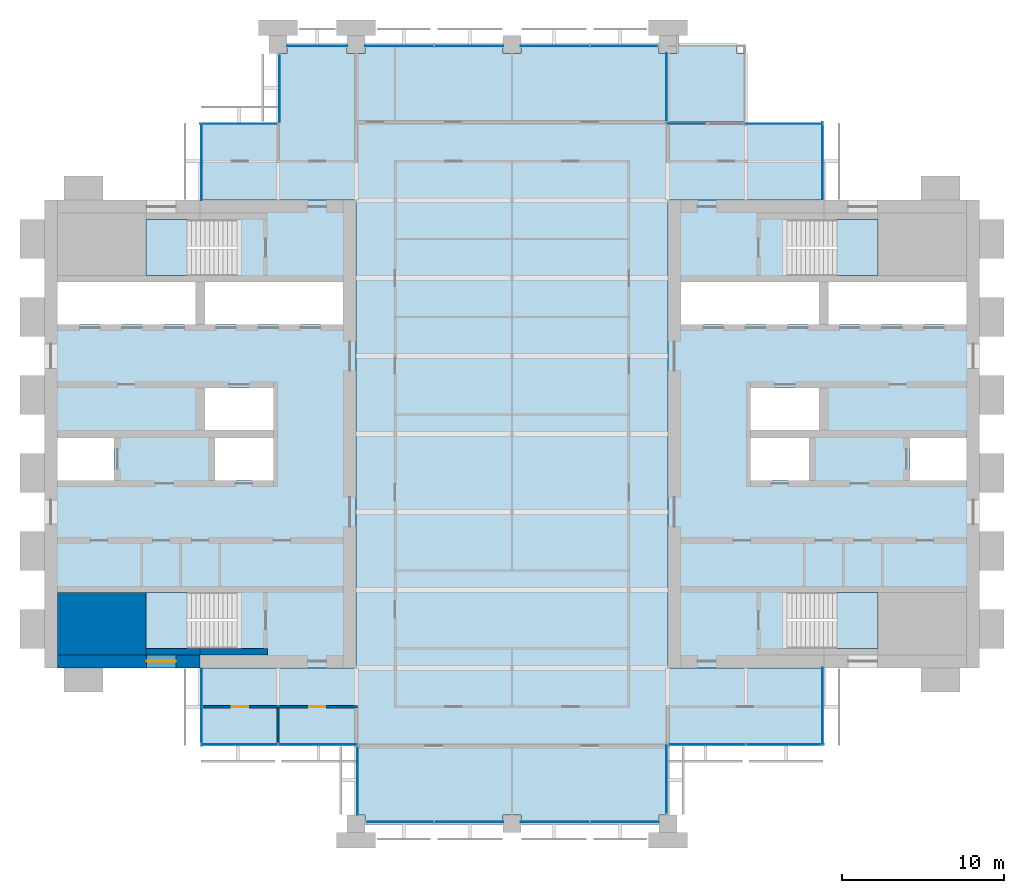
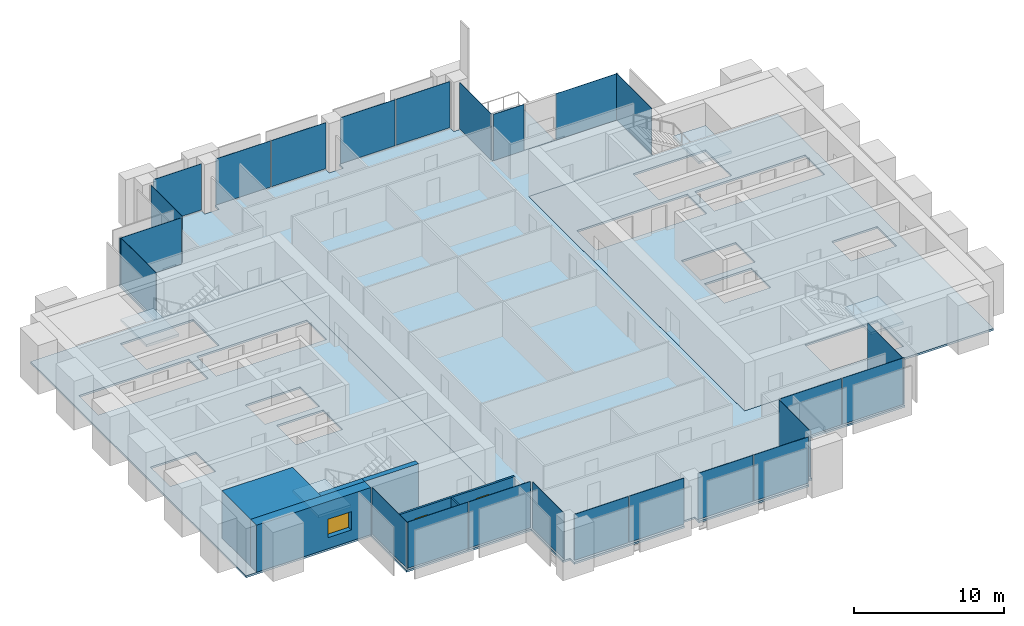
# One storey, part 7 of 13: 24 plates, 8 slabs, 6 walls, 2 doors, 1 window, 3 openings, 19 elements without a shape of their own.
"""IFC4 building model written with IfcOpenShell, lengths in metres."""

from ifc_helpers import new_model, si_unit, direction, frame, frame_2d, origin, origin_2d, place, context, subcontext, project, spatial, polyline, rectangle, outline, extrude, material, layer, layer_set, type_object, element, fill, aggregate, save


model = new_model("IFC4")

# Units and contexts
model_context = context("Model", 3, precision=1e-05, world=origin(), true_north=direction((0.0, 1.0)))
body_context = subcontext(model_context, "Body", "Model", "MODEL_VIEW")
ifc_project = project(units=[si_unit("LENGTHUNIT", "METRE"), si_unit("AREAUNIT", "SQUARE_METRE"), si_unit("VOLUMEUNIT", "CUBIC_METRE"), si_unit("PLANEANGLEUNIT", "RADIAN"), si_unit("MASSUNIT", "GRAM", prefix="KILO")], contexts=[model_context])

# Site, building, storey
site_placement = place(None, origin())
site = spatial("IfcSite", under=ifc_project, at=site_placement, CompositionType="ELEMENT")
building_placement = place(site_placement, origin())
building = spatial("IfcBuilding", under=site, at=building_placement, Name="Baori Bourse Tower", CompositionType="ELEMENT")
storey_placement = place(building_placement, frame((0.0, 0.0, 205.199951171875)))
storey = spatial("IfcBuildingStorey", under=building, at=storey_placement, Name="L44", CompositionType="ELEMENT", Elevation=205.199951171875)

# Curtain wall, plate
ifc_material_1 = material(Name="Pale anodised aluminium", Category="aluminium")
curtain_wall_type_1 = type_object("IfcCurtainWallType", Name="CW2 Curtain wall", PredefinedType="NOTDEFINED", material=ifc_material_1)
curtain_wall_1_placement = place(storey_placement, origin())
curtain_wall_1 = element("IfcCurtainWall", 1, at=curtain_wall_1_placement, inside=storey, type_object=curtain_wall_type_1, Name="Curtain wall CW2 L44 1", PredefinedType="NOTDEFINED")
ifc_material_2 = material(Name="Clear glass", Category="glass")
ifc_layer_1 = layer(ifc_material_2, 0.030029296875)
ifc_layer_set_1 = layer_set([ifc_layer_1], Name="CW2 Curtain wall panel")
plate_type_1 = type_object("IfcPlateType", Name="CW2 Curtain wall panel", PredefinedType="CURTAIN_PANEL", material=ifc_layer_set_1)
plate_1_placement = place(storey_placement, frame((47.909912109375, 40.827392578125, 0.070068359375), z_axis=(0.0, 0.0, 1.0), x_axis=(0.0, 1.0, 0.0)))
plate_1 = element("IfcPlate", 2, at=plate_1_placement, type_object=plate_type_1, Name="Curtain wall CW2 panel", PredefinedType="CURTAIN_PANEL", context=body_context, shape_type="SweptSolid", body=[
    extrude(rectangle(XDim=4.7451171875, YDim=0.030029296875, at=origin_2d()), origin(), (0.0, 0.0, 1.0), 3.77001953125),
])
aggregate(curtain_wall_1, [plate_1])

curtain_wall_2_placement = place(storey_placement, origin())
curtain_wall_2 = element("IfcCurtainWall", 3, at=curtain_wall_2_placement, inside=storey, type_object=curtain_wall_type_1, Name="Curtain wall CW2 L44 2", PredefinedType="NOTDEFINED")
plate_2_placement = place(storey_placement, frame((45.572509765625, 43.110107421875, 0.070068359375), z_axis=(0.0, 0.0, 1.0), x_axis=(-1.0, 0.0, 0.0)))
plate_2 = element("IfcPlate", 4, at=plate_2_placement, type_object=plate_type_1, Name="Curtain wall CW2 panel", PredefinedType="CURTAIN_PANEL", context=body_context, shape_type="SweptSolid", body=[
    extrude(rectangle(XDim=4.7451171875, YDim=0.030029296875, at=origin_2d()), origin(), (0.0, 0.0, 1.0), 3.77001953125),
])
aggregate(curtain_wall_2, [plate_2])

curtain_wall_3_placement = place(storey_placement, origin())
curtain_wall_3 = element("IfcCurtainWall", 5, at=curtain_wall_3_placement, inside=storey, type_object=curtain_wall_type_1, Name="Curtain wall CW2 L44 3", PredefinedType="NOTDEFINED")
plate_3_placement = place(storey_placement, frame((39.572509765625, 43.110107421875, 0.070068359375), z_axis=(0.0, 0.0, 1.0), x_axis=(-1.0, 0.0, 0.0)))
plate_3 = element("IfcPlate", 6, at=plate_3_placement, type_object=plate_type_1, Name="Curtain wall CW2 panel", PredefinedType="CURTAIN_PANEL", context=body_context, shape_type="SweptSolid", body=[
    extrude(rectangle(XDim=2.344970703125, YDim=0.030029296875, at=origin_2d()), origin(), (0.0, 0.0, 1.0), 3.77001953125),
])
aggregate(curtain_wall_3, [plate_3])

curtain_wall_4_placement = place(storey_placement, origin())
curtain_wall_4 = element("IfcCurtainWall", 7, at=curtain_wall_4_placement, inside=storey, type_object=curtain_wall_type_1, Name="Curtain wall CW2 L44 4", PredefinedType="NOTDEFINED")
plate_4_placement = place(storey_placement, frame((38.31005859375, 45.3525390625, 0.070068359375), z_axis=(0.0, 0.0, 1.0), x_axis=(0.0, 1.0, 0.0)))
plate_4 = element("IfcPlate", 8, at=plate_4_placement, type_object=plate_type_1, Name="Curtain wall CW2 panel", PredefinedType="CURTAIN_PANEL", context=body_context, shape_type="SweptSolid", body=[
    extrude(rectangle(XDim=4.195068359375, YDim=0.030029296875, at=origin_2d()), origin(), (0.0, 0.0, 1.0), 3.77001953125),
])
aggregate(curtain_wall_4, [plate_4])

curtain_wall_5_placement = place(storey_placement, origin())
curtain_wall_5 = element("IfcCurtainWall", 9, at=curtain_wall_5_placement, inside=storey, type_object=curtain_wall_type_1, Name="Curtain wall CW2 L44 6", PredefinedType="NOTDEFINED")
plate_5_placement = place(storey_placement, frame((14.489990234375, 45.297607421875, 0.070068359375), z_axis=(0.0, 0.0, 1.0), x_axis=(0.0, -1.0, 0.0)))
plate_5 = element("IfcPlate", 10, at=plate_5_placement, type_object=plate_type_1, Name="Curtain wall CW2 panel", PredefinedType="CURTAIN_PANEL", context=body_context, shape_type="SweptSolid", body=[
    extrude(rectangle(XDim=4.195068359375, YDim=0.030029296875, at=origin_2d()), origin(), (0.0, 0.0, 1.0), 3.77001953125),
])
aggregate(curtain_wall_5, [plate_5])

curtain_wall_6_placement = place(storey_placement, origin())
curtain_wall_6 = element("IfcCurtainWall", 11, at=curtain_wall_6_placement, inside=storey, type_object=curtain_wall_type_1, Name="Curtain wall CW2 L44 7", PredefinedType="NOTDEFINED")
plate_6_placement = place(storey_placement, frame((11.972412109375, 43.110107421875, 0.070068359375), z_axis=(0.0, 0.0, 1.0), x_axis=(-1.0, 0.0, 0.0)))
plate_6 = element("IfcPlate", 12, at=plate_6_placement, type_object=plate_type_1, Name="Curtain wall CW2 panel", PredefinedType="CURTAIN_PANEL", context=body_context, shape_type="SweptSolid", body=[
    extrude(rectangle(XDim=4.7451171875, YDim=0.030029296875, at=origin_2d()), origin(), (0.0, 0.0, 1.0), 3.77001953125),
])
aggregate(curtain_wall_6, [plate_6])

curtain_wall_7_placement = place(storey_placement, origin())
curtain_wall_7 = element("IfcCurtainWall", 13, at=curtain_wall_7_placement, inside=storey, type_object=curtain_wall_type_1, Name="Curtain wall CW2 L44 8", PredefinedType="NOTDEFINED")
plate_7_placement = place(storey_placement, frame((9.68994140625, 40.7724609375, 0.070068359375), z_axis=(0.0, 0.0, 1.0), x_axis=(0.0, -1.0, 0.0)))
plate_7 = element("IfcPlate", 14, at=plate_7_placement, type_object=plate_type_1, Name="Curtain wall CW2 panel", PredefinedType="CURTAIN_PANEL", context=body_context, shape_type="SweptSolid", body=[
    extrude(rectangle(XDim=4.7451171875, YDim=0.030029296875, at=origin_2d()), origin(), (0.0, 0.0, 1.0), 3.77001953125),
])
aggregate(curtain_wall_7, [plate_7])

curtain_wall_8_placement = place(storey_placement, origin())
curtain_wall_8 = element("IfcCurtainWall", 15, at=curtain_wall_8_placement, inside=storey, type_object=curtain_wall_type_1, Name="Curtain wall CW2 L44 9", PredefinedType="NOTDEFINED")
plate_8_placement = place(storey_placement, frame((9.68994140625, 7.172607421875, 0.070068359375), z_axis=(0.0, 0.0, 1.0), x_axis=(0.0, -1.0, 0.0)))
plate_8 = element("IfcPlate", 16, at=plate_8_placement, type_object=plate_type_1, Name="Curtain wall CW2 panel", PredefinedType="CURTAIN_PANEL", context=body_context, shape_type="SweptSolid", body=[
    extrude(rectangle(XDim=4.7451171875, YDim=0.030029296875, at=origin_2d()), origin(), (0.0, 0.0, 1.0), 3.77001953125),
])
aggregate(curtain_wall_8, [plate_8])

# Curtain wall, plates
curtain_wall_9_placement = place(storey_placement, origin())
curtain_wall_9 = element("IfcCurtainWall", 17, at=curtain_wall_9_placement, inside=storey, type_object=curtain_wall_type_1, Name="Curtain wall CW2 L44 10", PredefinedType="NOTDEFINED")
plate_9_placement = place(storey_placement, frame((12.013671875, 4.889892578125, 0.070068359375), z_axis=(0.0, 0.0, 1.0), x_axis=(1.0, 0.0, 0.0)))
plate_9 = element("IfcPlate", 18, at=plate_9_placement, type_object=plate_type_1, Name="Curtain wall CW2 panel", PredefinedType="CURTAIN_PANEL", context=body_context, shape_type="SweptSolid", body=[
    extrude(rectangle(XDim=4.717529296875, YDim=0.030029296875, at=origin_2d()), origin(), (0.0, 0.0, 1.0), 3.77001953125),
])
plate_10_placement = place(storey_placement, frame((16.813720703125, 4.889892578125, 0.070068359375), z_axis=(0.0, 0.0, 1.0), x_axis=(1.0, 0.0, 0.0)))
plate_10 = element("IfcPlate", 19, at=plate_10_placement, type_object=plate_type_1, Name="Curtain wall CW2 panel", PredefinedType="CURTAIN_PANEL", context=body_context, shape_type="SweptSolid", body=[
    extrude(rectangle(XDim=4.7724609375, YDim=0.030029296875, at=origin_2d()), origin(), (0.0, 0.0, 1.0), 3.77001953125),
])
aggregate(curtain_wall_9, [plate_9, plate_10])

# Curtain wall, plate
curtain_wall_10_placement = place(storey_placement, origin())
curtain_wall_10 = element("IfcCurtainWall", 20, at=curtain_wall_10_placement, inside=storey, type_object=curtain_wall_type_1, Name="Curtain wall CW2 L44 11", PredefinedType="NOTDEFINED")
plate_11_placement = place(storey_placement, frame((19.2900390625, 2.6474609375, 0.070068359375), z_axis=(0.0, 0.0, 1.0), x_axis=(0.0, -1.0, 0.0)))
plate_11 = element("IfcPlate", 21, at=plate_11_placement, type_object=plate_type_1, Name="Curtain wall CW2 panel", PredefinedType="CURTAIN_PANEL", context=body_context, shape_type="SweptSolid", body=[
    extrude(rectangle(XDim=4.195068359375, YDim=0.030029296875, at=origin_2d()), origin(), (0.0, 0.0, 1.0), 3.77001953125),
])
aggregate(curtain_wall_10, [plate_11])

curtain_wall_11_placement = place(storey_placement, origin())
curtain_wall_11 = element("IfcCurtainWall", 22, at=curtain_wall_11_placement, inside=storey, type_object=curtain_wall_type_1, Name="Curtain wall CW2 L44 13", PredefinedType="NOTDEFINED")
plate_12_placement = place(storey_placement, frame((38.31005859375, 2.702392578125, 0.070068359375), z_axis=(0.0, 0.0, 1.0), x_axis=(0.0, 1.0, 0.0)))
plate_12 = element("IfcPlate", 23, at=plate_12_placement, type_object=plate_type_1, Name="Curtain wall CW2 panel", PredefinedType="CURTAIN_PANEL", context=body_context, shape_type="SweptSolid", body=[
    extrude(rectangle(XDim=4.195068359375, YDim=0.030029296875, at=origin_2d()), origin(), (0.0, 0.0, 1.0), 3.77001953125),
])
aggregate(curtain_wall_11, [plate_12])

# Curtain wall, plates
curtain_wall_12_placement = place(storey_placement, origin())
curtain_wall_12 = element("IfcCurtainWall", 24, at=curtain_wall_12_placement, inside=storey, type_object=curtain_wall_type_1, Name="Curtain wall CW2 L44 14", PredefinedType="NOTDEFINED")
plate_13_placement = place(storey_placement, frame((40.813720703125, 4.889892578125, 0.070068359375), z_axis=(0.0, 0.0, 1.0), x_axis=(1.0, 0.0, 0.0)))
plate_13 = element("IfcPlate", 25, at=plate_13_placement, type_object=plate_type_1, Name="Curtain wall CW2 panel", PredefinedType="CURTAIN_PANEL", context=body_context, shape_type="SweptSolid", body=[
    extrude(rectangle(XDim=4.717529296875, YDim=0.030029296875, at=origin_2d()), origin(), (0.0, 0.0, 1.0), 3.77001953125),
])
plate_14_placement = place(storey_placement, frame((45.61376953125, 4.889892578125, 0.070068359375), z_axis=(0.0, 0.0, 1.0), x_axis=(1.0, 0.0, 0.0)))
plate_14 = element("IfcPlate", 26, at=plate_14_placement, type_object=plate_type_1, Name="Curtain wall CW2 panel", PredefinedType="CURTAIN_PANEL", context=body_context, shape_type="SweptSolid", body=[
    extrude(rectangle(XDim=4.7724609375, YDim=0.030029296875, at=origin_2d()), origin(), (0.0, 0.0, 1.0), 3.77001953125),
])
aggregate(curtain_wall_12, [plate_13, plate_14])

# Curtain wall, plate
curtain_wall_13_placement = place(storey_placement, origin())
curtain_wall_13 = element("IfcCurtainWall", 27, at=curtain_wall_13_placement, inside=storey, type_object=curtain_wall_type_1, Name="Curtain wall CW2 L44 15", PredefinedType="NOTDEFINED")
plate_15_placement = place(storey_placement, frame((47.909912109375, 7.2275390625, 0.070068359375), z_axis=(0.0, 0.0, 1.0), x_axis=(0.0, 1.0, 0.0)))
plate_15 = element("IfcPlate", 28, at=plate_15_placement, type_object=plate_type_1, Name="Curtain wall CW2 panel", PredefinedType="CURTAIN_PANEL", context=body_context, shape_type="SweptSolid", body=[
    extrude(rectangle(XDim=4.7451171875, YDim=0.030029296875, at=origin_2d()), origin(), (0.0, 0.0, 1.0), 3.77001953125),
])
aggregate(curtain_wall_13, [plate_15])

# Curtain wall, plates
ifc_material_3 = material(Name="Pale anodised aluminium", Category="aluminium")
curtain_wall_type_2 = type_object("IfcCurtainWallType", Name="CW5 Curtain wall", PredefinedType="NOTDEFINED", material=ifc_material_3)
curtain_wall_14_placement = place(storey_placement, origin())
curtain_wall_14 = element("IfcCurtainWall", 29, at=curtain_wall_14_placement, inside=storey, type_object=curtain_wall_type_2, Name="Curtain wall CW5 L44 5", PredefinedType="NOTDEFINED")
ifc_material_4 = material(Name="Clear glass", Category="glass")
ifc_layer_2 = layer(ifc_material_4, 0.035888671875)
ifc_layer_set_2 = layer_set([ifc_layer_2], Name="CW5 Curtain wall panel")
plate_type_2 = type_object("IfcPlateType", Name="CW5 Curtain wall panel", PredefinedType="CURTAIN_PANEL", material=ifc_layer_set_2)
plate_16_placement = place(storey_placement, frame((35.708740234375, 47.889892578125, 0.085205078125), z_axis=(0.0, 0.0, 1.0), x_axis=(-1.0, 0.0, 0.0)))
plate_16 = element("IfcPlate", 30, at=plate_16_placement, type_object=plate_type_2, Name="Curtain wall CW5 panel", PredefinedType="CURTAIN_PANEL", context=body_context, shape_type="SweptSolid", body=[
    extrude(rectangle(XDim=4.152587890625, YDim=0.035888671875, at=origin_2d()), origin(), (0.0, 0.0, 1.0), 3.7548828125),
])
plate_17_placement = place(storey_placement, frame((31.458740234375, 47.889892578125, 0.085205078125), z_axis=(0.0, 0.0, 1.0), x_axis=(-1.0, 0.0, 0.0)))
plate_17 = element("IfcPlate", 31, at=plate_17_placement, type_object=plate_type_2, Name="Curtain wall CW5 panel", PredefinedType="CURTAIN_PANEL", context=body_context, shape_type="SweptSolid", body=[
    extrude(rectangle(XDim=4.217529296875, YDim=0.035888671875, at=origin_2d()), origin(), (0.0, 0.0, 1.0), 3.7548828125),
])
plate_18_placement = place(storey_placement, frame((26.141357421875, 47.889892578125, 0.085205078125), z_axis=(0.0, 0.0, 1.0), x_axis=(-1.0, 0.0, 0.0)))
plate_18 = element("IfcPlate", 32, at=plate_18_placement, type_object=plate_type_2, Name="Curtain wall CW5 panel", PredefinedType="CURTAIN_PANEL", context=body_context, shape_type="SweptSolid", body=[
    extrude(rectangle(XDim=4.217529296875, YDim=0.035888671875, at=origin_2d()), origin(), (0.0, 0.0, 1.0), 3.7548828125),
])
plate_19_placement = place(storey_placement, frame((21.858642578125, 47.889892578125, 0.085205078125), z_axis=(0.0, 0.0, 1.0), x_axis=(-1.0, 0.0, 0.0)))
plate_19 = element("IfcPlate", 33, at=plate_19_placement, type_object=plate_type_2, Name="Curtain wall CW5 panel", PredefinedType="CURTAIN_PANEL", context=body_context, shape_type="SweptSolid", body=[
    extrude(rectangle(XDim=4.217529296875, YDim=0.035888671875, at=origin_2d()), origin(), (0.0, 0.0, 1.0), 3.7548828125),
])
plate_20_placement = place(storey_placement, frame((16.800048828125, 47.889892578125, 0.085205078125), z_axis=(0.0, 0.0, 1.0), x_axis=(-1.0, 0.0, 0.0)))
plate_20 = element("IfcPlate", 34, at=plate_20_placement, type_object=plate_type_2, Name="Curtain wall CW5 panel", PredefinedType="CURTAIN_PANEL", context=body_context, shape_type="SweptSolid", body=[
    extrude(rectangle(XDim=3.699951171875, YDim=0.035888671875, at=origin_2d()), origin(), (0.0, 0.0, 1.0), 3.7548828125),
])
aggregate(curtain_wall_14, [plate_16, plate_17, plate_18, plate_19, plate_20])

curtain_wall_15_placement = place(storey_placement, origin())
curtain_wall_15 = element("IfcCurtainWall", 35, at=curtain_wall_15_placement, inside=storey, type_object=curtain_wall_type_2, Name="Curtain wall CW5 L44 12", PredefinedType="NOTDEFINED")
plate_21_placement = place(storey_placement, frame((21.891357421875, 0.110107421875, 0.085205078125), z_axis=(0.0, 0.0, 1.0), x_axis=(1.0, 0.0, 0.0)))
plate_21 = element("IfcPlate", 36, at=plate_21_placement, type_object=plate_type_2, Name="Curtain wall CW5 panel", PredefinedType="CURTAIN_PANEL", context=body_context, shape_type="SweptSolid", body=[
    extrude(rectangle(XDim=4.152587890625, YDim=0.035888671875, at=origin_2d()), origin(), (0.0, 0.0, 1.0), 3.7548828125),
])
plate_22_placement = place(storey_placement, frame((26.141357421875, 0.110107421875, 0.085205078125), z_axis=(0.0, 0.0, 1.0), x_axis=(1.0, 0.0, 0.0)))
plate_22 = element("IfcPlate", 37, at=plate_22_placement, type_object=plate_type_2, Name="Curtain wall CW5 panel", PredefinedType="CURTAIN_PANEL", context=body_context, shape_type="SweptSolid", body=[
    extrude(rectangle(XDim=4.217529296875, YDim=0.035888671875, at=origin_2d()), origin(), (0.0, 0.0, 1.0), 3.7548828125),
])
plate_23_placement = place(storey_placement, frame((31.458740234375, 0.110107421875, 0.085205078125), z_axis=(0.0, 0.0, 1.0), x_axis=(1.0, 0.0, 0.0)))
plate_23 = element("IfcPlate", 38, at=plate_23_placement, type_object=plate_type_2, Name="Curtain wall CW5 panel", PredefinedType="CURTAIN_PANEL", context=body_context, shape_type="SweptSolid", body=[
    extrude(rectangle(XDim=4.217529296875, YDim=0.035888671875, at=origin_2d()), origin(), (0.0, 0.0, 1.0), 3.7548828125),
])
plate_24_placement = place(storey_placement, frame((35.7412109375, 0.110107421875, 0.085205078125), z_axis=(0.0, 0.0, 1.0), x_axis=(1.0, 0.0, 0.0)))
plate_24 = element("IfcPlate", 39, at=plate_24_placement, type_object=plate_type_2, Name="Curtain wall CW5 panel", PredefinedType="CURTAIN_PANEL", context=body_context, shape_type="SweptSolid", body=[
    extrude(rectangle(XDim=4.217529296875, YDim=0.035888671875, at=origin_2d()), origin(), (0.0, 0.0, 1.0), 3.7548828125),
])
aggregate(curtain_wall_15, [plate_21, plate_22, plate_23, plate_24])

# Slabs
ifc_material_5 = material(Name="Concrete f'c 50 MPa", Category="concrete")
ifc_layer_3 = layer(ifc_material_5, 0.159912109375)
ifc_layer_set_3 = layer_set([ifc_layer_3], Name="Core slab 160")
slab_type_1 = type_object("IfcSlabType", Name="Core slab 160", PredefinedType="FLOOR", material=ifc_layer_set_3)
slab_1_placement = place(storey_placement, frame((0.0, 0.0, -0.159912109375)))
element("IfcSlab", 40, at=slab_1_placement, inside=storey, type_object=slab_type_1, Name="Core floor slab W01", PredefinedType="FLOOR", context=body_context, shape_type="SweptSolid", body=[
    extrude(outline(polyline([(19.199951171875, 38.39990234375), (0.0, 38.39990234375), (0.0, 9.60009765625), (19.199951171875, 9.60009765625), (19.199951171875, 38.39990234375)]), holes=[polyline([(9.89990234375, 33.35009765625), (18.39990234375, 33.35009765625), (18.39990234375, 30.75), (9.89990234375, 30.75), (9.89990234375, 33.35009765625)]), polyline([(10.5, 21.14990234375), (10.5, 23.75), (14.10009765625, 23.75), (14.10009765625, 21.14990234375), (10.5, 21.14990234375)]), polyline([(14.10009765625, 24.25), (9.89990234375, 24.25), (9.89990234375, 26.85009765625), (14.10009765625, 26.85009765625), (14.10009765625, 24.25)]), polyline([(6.25, 14.25), (11.84912109375, 14.25), (11.84912109375, 10.800048828125), (6.25, 10.800048828125), (6.25, 14.25)]), polyline([(11.84912109375, 37.199951171875), (11.84912109375, 33.75), (6.25, 33.75), (6.25, 37.199951171875), (11.84912109375, 37.199951171875)]), polyline([(0.800048828125, 30.75), (0.800048828125, 33.35009765625), (9.300048828125, 33.35009765625), (9.300048828125, 30.75), (0.800048828125, 30.75)]), polyline([(4.300048828125, 23.75), (4.300048828125, 21.14990234375), (0.800048828125, 21.14990234375), (0.800048828125, 23.75), (4.300048828125, 23.75)])]), origin(), (0.0, 0.0, 1.0), 0.159912109375),
])
slab_2_placement = place(storey_placement, frame((0.0, 0.0, -0.159912109375)))
element("IfcSlab", 41, at=slab_2_placement, inside=storey, type_object=slab_type_1, Name="Core floor slab E01", PredefinedType="FLOOR", context=body_context, shape_type="SweptSolid", body=[
    extrude(outline(polyline([(57.60009765625, 9.60009765625), (57.60009765625, 38.39990234375), (38.39990234375, 38.39990234375), (38.39990234375, 9.60009765625), (57.60009765625, 9.60009765625)]), holes=[polyline([(48.300048828125, 33.35009765625), (56.800048828125, 33.35009765625), (56.800048828125, 30.75), (48.300048828125, 30.75), (48.300048828125, 33.35009765625)]), polyline([(56.800048828125, 21.14990234375), (53.300048828125, 21.14990234375), (53.300048828125, 23.75), (56.800048828125, 23.75), (56.800048828125, 21.14990234375)]), polyline([(45.750732421875, 14.25), (51.35009765625, 14.25), (51.35009765625, 10.800048828125), (45.750732421875, 10.800048828125), (45.750732421875, 14.25)]), polyline([(51.35009765625, 37.199951171875), (51.35009765625, 33.75), (45.750732421875, 33.75), (45.750732421875, 37.199951171875), (51.35009765625, 37.199951171875)]), polyline([(43.5, 24.25), (43.5, 26.85009765625), (47.699951171875, 26.85009765625), (47.699951171875, 24.25), (43.5, 24.25)]), polyline([(47.699951171875, 33.35009765625), (47.699951171875, 30.75), (39.199951171875, 30.75), (39.199951171875, 33.35009765625), (47.699951171875, 33.35009765625)]), polyline([(43.5, 23.75), (47.10009765625, 23.75), (47.10009765625, 21.14990234375), (43.5, 21.14990234375), (43.5, 23.75)])]), origin(), (0.0, 0.0, 1.0), 0.159912109375),
])

# Stair, slab
ifc_material_6 = material(Name="Concrete f'c 50 MPa", Category="concrete")
stair_type = type_object("IfcStairType", Name="Core stair", PredefinedType="HALF_TURN_STAIR", material=ifc_material_6)
stair_1_placement = place(storey_placement, origin())
stair_1 = element("IfcStair", 42, at=stair_1_placement, inside=storey, type_object=stair_type, Name="L44 Stair WA", PredefinedType="HALF_TURN_STAIR")
ifc_material_7 = material(Name="Concrete f'c 50 MPa", Category="concrete")
slab_type_2 = type_object("IfcSlabType", Name="Core stair landing", PredefinedType="LANDING", material=ifc_material_7)
slab_3_placement = place(storey_placement, frame((0.0, 0.0, 1.800048828125)))
slab_3 = element("IfcSlab", 43, at=slab_3_placement, type_object=slab_type_2, Name="ST1 landing 1", PredefinedType="LANDING", context=body_context, shape_type="SweptSolid", body=[
    extrude(outline(polyline([(8.77001953125, 14.25), (6.25, 14.25), (6.25, 10.800048828125), (8.77001953125, 10.800048828125), (8.77001953125, 14.25)])), origin(), (0.0, 0.0, 1.0), 0.199951171875),
])
aggregate(stair_1, [slab_3])

stair_2_placement = place(storey_placement, origin())
stair_2 = element("IfcStair", 44, at=stair_2_placement, inside=storey, type_object=stair_type, Name="L44 Stair WB", PredefinedType="HALF_TURN_STAIR")
slab_4_placement = place(storey_placement, frame((0.0, 0.0, 1.800048828125)))
slab_4 = element("IfcSlab", 45, at=slab_4_placement, type_object=slab_type_2, Name="ST2 landing 1", PredefinedType="LANDING", context=body_context, shape_type="SweptSolid", body=[
    extrude(outline(polyline([(8.77001953125, 37.199951171875), (6.25, 37.199951171875), (6.25, 33.75), (8.77001953125, 33.75), (8.77001953125, 37.199951171875)])), origin(), (0.0, 0.0, 1.0), 0.199951171875),
])
aggregate(stair_2, [slab_4])

stair_3_placement = place(storey_placement, origin())
stair_3 = element("IfcStair", 46, at=stair_3_placement, inside=storey, type_object=stair_type, Name="L44 Stair EA", PredefinedType="HALF_TURN_STAIR")
slab_5_placement = place(storey_placement, frame((0.0, 0.0, 1.800048828125)))
slab_5 = element("IfcSlab", 47, at=slab_5_placement, type_object=slab_type_2, Name="ST3 landing 1", PredefinedType="LANDING", context=body_context, shape_type="SweptSolid", body=[
    extrude(outline(polyline([(48.830078125, 10.800048828125), (51.35009765625, 10.800048828125), (51.35009765625, 14.25), (48.830078125, 14.25), (48.830078125, 10.800048828125)])), origin(), (0.0, 0.0, 1.0), 0.199951171875),
])
aggregate(stair_3, [slab_5])

stair_4_placement = place(storey_placement, origin())
stair_4 = element("IfcStair", 48, at=stair_4_placement, inside=storey, type_object=stair_type, Name="L44 Stair EB", PredefinedType="HALF_TURN_STAIR")
slab_6_placement = place(storey_placement, frame((0.0, 0.0, 1.800048828125)))
slab_6 = element("IfcSlab", 49, at=slab_6_placement, type_object=slab_type_2, Name="ST4 landing 1", PredefinedType="LANDING", context=body_context, shape_type="SweptSolid", body=[
    extrude(outline(polyline([(48.830078125, 33.75), (51.35009765625, 33.75), (51.35009765625, 37.199951171875), (48.830078125, 37.199951171875), (48.830078125, 33.75)])), origin(), (0.0, 0.0, 1.0), 0.199951171875),
])
aggregate(stair_4, [slab_6])

# Slabs
ifc_material_8 = material(Name="Concrete f'c 40 MPa", Category="concrete")
ifc_layer_4 = layer(ifc_material_8, 0.159912109375)
ifc_layer_set_4 = layer_set([ifc_layer_4], Name="Floor slab 160")
slab_type_3 = type_object("IfcSlabType", Name="Floor slab 160", PredefinedType="FLOOR", material=ifc_layer_set_4)
slab_7_placement = place(storey_placement, frame((0.0, 0.0, -0.159912109375)))
element("IfcSlab", 50, at=slab_7_placement, inside=storey, type_object=slab_type_3, Name="Floor slab L44", PredefinedType="FLOOR", context=body_context, shape_type="SweptSolid", body=[
    extrude(outline(polyline([(19.199951171875, 4.800048828125), (9.60009765625, 4.800048828125), (9.60009765625, 9.60009765625), (19.199951171875, 9.60009765625), (19.199951171875, 38.39990234375), (9.60009765625, 38.39990234375), (9.60009765625, 43.199951171875), (14.39990234375, 43.199951171875), (14.39990234375, 47.449951171875), (14.949951171875, 47.449951171875), (14.949951171875, 48.0), (18.64990234375, 48.0), (18.64990234375, 47.449951171875), (19.75, 47.449951171875), (19.75, 48.0), (28.25, 48.0), (28.25, 47.449951171875), (29.35009765625, 47.449951171875), (29.35009765625, 48.0), (37.85009765625, 48.0), (37.85009765625, 47.449951171875), (38.39990234375, 47.449951171875), (38.39990234375, 43.199951171875), (48.0, 43.199951171875), (48.0, 38.39990234375), (38.39990234375, 38.39990234375), (38.39990234375, 9.60009765625), (48.0, 9.60009765625), (48.0, 4.800048828125), (38.39990234375, 4.800048828125), (38.39990234375, 0.550048828125), (37.85009765625, 0.550048828125), (37.85009765625, 0.0), (29.35009765625, 0.0), (29.35009765625, 0.550048828125), (28.25, 0.550048828125), (28.25, 0.0), (19.75, 0.0), (19.75, 0.550048828125), (19.199951171875, 0.550048828125), (19.199951171875, 4.800048828125)])), origin(), (0.0, 0.0, 1.0), 0.159912109375),
])
ifc_material_9 = material(Name="Concrete f'c 40 MPa", Category="concrete")
ifc_layer_5 = layer(ifc_material_9, 0.159912109375)
ifc_layer_set_5 = layer_set([ifc_layer_5], Name="Terrace slab 160")
slab_type_4 = type_object("IfcSlabType", Name="Terrace slab 160", PredefinedType="ROOF", material=ifc_layer_set_5)
slab_8_placement = place(storey_placement, frame((0.0, 0.0, -0.159912109375)))
element("IfcSlab", 51, at=slab_8_placement, inside=storey, type_object=slab_type_4, Name="Terrace slab NE L44", PredefinedType="ROOF", context=body_context, shape_type="SweptSolid", body=[
    extrude(outline(polyline([(38.403076171875, 47.449951171875), (38.949951171875, 47.449951171875), (38.949951171875, 47.9970703125), (42.64990234375, 47.9970703125), (42.64990234375, 47.449951171875), (43.197021484375, 47.449951171875), (43.197021484375, 43.202880859375), (38.403076171875, 43.202880859375), (38.403076171875, 47.449951171875)])), origin(), (0.0, 0.0, 1.0), 0.159912109375),
])

# Wall
ifc_material_10 = material(Name="Concrete f'c 50 MPa", Category="concrete")
wall_type_1 = type_object("IfcWallType", Name="Core corner block f'c 50", PredefinedType="SHEAR", material=ifc_material_10)
wall_1_placement = place(storey_placement, frame((0.800048828125, 12.324951171875, 0.0), z_axis=(0.0, 0.0, 1.0), x_axis=(1.0, 0.0, 0.0)))
element("IfcWall", 52, at=wall_1_placement, inside=storey, type_object=wall_type_1, Name="Core wall W05", PredefinedType="SHEAR", context=body_context, shape_type="SweptSolid", body=[
    extrude(rectangle(XDim=5.449951171875, YDim=3.85009765625, at=frame_2d((2.72509765625, 0.0))), origin(), (0.0, 0.0, 1.0), 3.840087890625),
])

# Wall, opening, window
ifc_material_11 = material(Name="Concrete f'c 50 MPa", Category="concrete")
ifc_layer_6 = layer(ifc_material_11, 0.800048828125)
ifc_layer_set_6 = layer_set([ifc_layer_6], Name="Core wall 800 f'c 50")
wall_type_2 = type_object("IfcWallType", Name="Core wall 800 f'c 50", PredefinedType="SHEAR", material=ifc_layer_set_6)
wall_2_placement = place(storey_placement, frame((9.60009765625, 10.0, 0.0), z_axis=(0.0, 0.0, 1.0), x_axis=(-1.0, 0.0, 0.0)))
wall_2 = element("IfcWall", 53, at=wall_2_placement, inside=storey, type_object=wall_type_2, Name="Core wall W02", PredefinedType="SHEAR", context=body_context, shape_type="SweptSolid", body=[
    extrude(rectangle(XDim=8.800048828125, YDim=0.800048828125, at=frame_2d((4.39990234375, 0.0))), origin(), (0.0, 0.0, 1.0), 3.840087890625),
])
opening_1_placement = place(wall_2_placement, frame((1.5, 0.0, 0.89990234375)))
opening_1 = element("IfcOpeningElement", 54, at=opening_1_placement, cuts=wall_2, Name="Opening L44-KW103", PredefinedType="OPENING", context=body_context, shape_type="SweptSolid", body=[
    extrude(rectangle(XDim=1.800048828125, YDim=1.5, at=frame_2d((0.89990234375, 0.75))), frame((0.0, 0.409912109375, 0.0), z_axis=(0.0, -1.0, 0.0), x_axis=(1.0, 0.0, 0.0)), (0.0, 0.0, 1.0), 0.820068359375),
])
ifc_material_12 = material(Name="Pale anodised aluminium", Category="aluminium")
window_type = type_object("IfcWindowType", Name="Stair window 1800 x 1500", PartitioningType="SINGLE_PANEL", PredefinedType="WINDOW", material=ifc_material_12)
window_placement = place(opening_1_placement, origin())
window = element("IfcWindow", 55, at=window_placement, inside=storey, type_object=window_type, Name="Stair window W L44 3", OverallHeight=1.5, OverallWidth=1.800048828125, PartitioningType="SINGLE_PANEL", PredefinedType="WINDOW", context=body_context, shape_type="SweptSolid", body=[
    extrude(rectangle(XDim=1.800048828125, YDim=1.5, at=frame_2d((0.89990234375, 0.75))), frame((0.0, 0.030029296875, 0.0), z_axis=(0.0, -1.0, 0.0), x_axis=(1.0, 0.0, 0.0)), (0.0, 0.0, 1.0), 0.06005859375),
])
fill(opening_1, window)

# Wall, openings, doors
ifc_material_13 = material(Name="Gypsum board partition")
ifc_layer_7 = layer(ifc_material_13, 0.14990234375)
ifc_layer_set_7 = layer_set([ifc_layer_7], Name="Corridor partition 150")
wall_type_3 = type_object("IfcWallType", Name="Corridor partition 150", PredefinedType="PARTITIONING", material=ifc_layer_set_7)
wall_3_placement = place(storey_placement, frame((9.699951171875, 7.199951171875, 0.0), z_axis=(0.0, 0.0, 1.0), x_axis=(1.0, 0.0, 0.0)))
wall_3 = element("IfcWall", 56, at=wall_3_placement, inside=storey, type_object=wall_type_3, Name="Partition", PredefinedType="PARTITIONING", context=body_context, shape_type="SweptSolid", body=[
    extrude(rectangle(XDim=9.574951171875, YDim=0.14990234375, at=frame_2d((4.78759765625, 0.0))), origin(), (0.0, 0.0, 1.0), 2.849365234375),
])
opening_2_placement = place(wall_3_placement, frame((1.85009765625, 0.0, 0.0)))
opening_2 = element("IfcOpeningElement", 57, at=opening_2_placement, cuts=wall_3, Name="Opening L44-D03", PredefinedType="OPENING", context=body_context, shape_type="SweptSolid", body=[
    extrude(rectangle(XDim=1.0, YDim=2.10009765625, at=frame_2d((0.5, 1.050048828125))), frame((0.0, 0.0849609375, 0.0), z_axis=(0.0, -1.0, 0.0), x_axis=(1.0, 0.0, 0.0)), (0.0, 0.0, 1.0), 0.169921875),
])
opening_3_placement = place(wall_3_placement, frame((6.60009765625, 0.0, 0.0)))
opening_3 = element("IfcOpeningElement", 58, at=opening_3_placement, cuts=wall_3, Name="Opening L44-D04", PredefinedType="OPENING", context=body_context, shape_type="SweptSolid", body=[
    extrude(rectangle(XDim=1.0, YDim=2.10009765625, at=frame_2d((0.5, 1.050048828125))), frame((0.0, 0.0849609375, 0.0), z_axis=(0.0, -1.0, 0.0), x_axis=(1.0, 0.0, 0.0)), (0.0, 0.0, 1.0), 0.169921875),
])
ifc_material_14 = material(Name="Timber door leaf", Category="wood")
door_type = type_object("IfcDoorType", Name="Door 1000 x 2100", OperationType="SINGLE_SWING_LEFT", PredefinedType="DOOR", material=ifc_material_14)
door_1_placement = place(opening_2_placement, origin())
door_1 = element("IfcDoor", 59, at=door_1_placement, inside=storey, type_object=door_type, Name="Door", OperationType="SINGLE_SWING_LEFT", OverallHeight=2.10009765625, OverallWidth=1.0, PredefinedType="DOOR", context=body_context, shape_type="SweptSolid", body=[
    extrude(rectangle(XDim=1.0, YDim=2.10009765625, at=frame_2d((0.5, 1.050048828125))), frame((0.0, 0.02490234375, 0.0), z_axis=(0.0, -1.0, 0.0), x_axis=(1.0, 0.0, 0.0)), (0.0, 0.0, 1.0), 0.050048828125),
])
fill(opening_2, door_1)
door_2_placement = place(opening_3_placement, origin())
door_2 = element("IfcDoor", 60, at=door_2_placement, inside=storey, type_object=door_type, Name="Door", OperationType="SINGLE_SWING_RIGHT", OverallHeight=2.10009765625, OverallWidth=1.0, PredefinedType="DOOR", context=body_context, shape_type="SweptSolid", body=[
    extrude(rectangle(XDim=1.0, YDim=2.10009765625, at=frame_2d((0.5, 1.050048828125))), frame((0.0, 0.02490234375, 0.0), z_axis=(0.0, -1.0, 0.0), x_axis=(1.0, 0.0, 0.0)), (0.0, 0.0, 1.0), 0.050048828125),
])
fill(opening_3, door_2)

# Walls
ifc_material_15 = material(Name="Gypsum board partition")
ifc_layer_8 = layer(ifc_material_15, 0.125)
ifc_layer_set_8 = layer_set([ifc_layer_8], Name="Partition 125")
wall_type_4 = type_object("IfcWallType", Name="Partition 125", PredefinedType="PARTITIONING", material=ifc_layer_set_8)
wall_4_placement = place(storey_placement, frame((14.39990234375, 4.89990234375, 0.0), z_axis=(0.0, 0.0, 1.0), x_axis=(0.0, 1.0, 0.0)))
element("IfcWall", 61, at=wall_4_placement, inside=storey, type_object=wall_type_4, Name="Partition", PredefinedType="PARTITIONING", context=body_context, shape_type="SweptSolid", body=[
    extrude(rectangle(XDim=2.22509765625, YDim=0.125, at=frame_2d((1.112548828125, 0.0))), origin(), (0.0, 0.0, 1.0), 2.849365234375),
])
ifc_material_16 = material(Name="Concrete f'c 50 MPa", Category="concrete")
ifc_layer_9 = layer(ifc_material_16, 0.39990234375)
ifc_layer_set_9 = layer_set([ifc_layer_9], Name="Shaft wall 400 f'c 50")
wall_type_5 = type_object("IfcWallType", Name="Shaft wall 400 f'c 50", PredefinedType="SHEAR", material=ifc_layer_set_9)
wall_5_placement = place(storey_placement, frame((6.25, 10.60009765625, 0.0), z_axis=(0.0, 0.0, 1.0), x_axis=(1.0, 0.0, 0.0)))
element("IfcWall", 62, at=wall_5_placement, inside=storey, type_object=wall_type_5, Name="Core wall W06", PredefinedType="SHEAR", context=body_context, shape_type="SweptSolid", body=[
    extrude(rectangle(XDim=3.35009765625, YDim=0.39990234375, at=frame_2d((1.675048828125, 0.0))), origin(), (0.0, 0.0, 1.0), 3.840087890625),
])
wall_6_placement = place(storey_placement, frame((9.60009765625, 10.60009765625, 0.0), z_axis=(0.0, 0.0, 1.0), x_axis=(1.0, 0.0, 0.0)))
element("IfcWall", 63, at=wall_6_placement, inside=storey, type_object=wall_type_5, Name="Core wall W07", PredefinedType="SHEAR", context=body_context, shape_type="SweptSolid", body=[
    extrude(rectangle(XDim=4.14990234375, YDim=0.39990234375, at=frame_2d((2.074951171875, 0.0))), origin(), (0.0, 0.0, 1.0), 3.840087890625),
])

save(model, "model.ifc")
